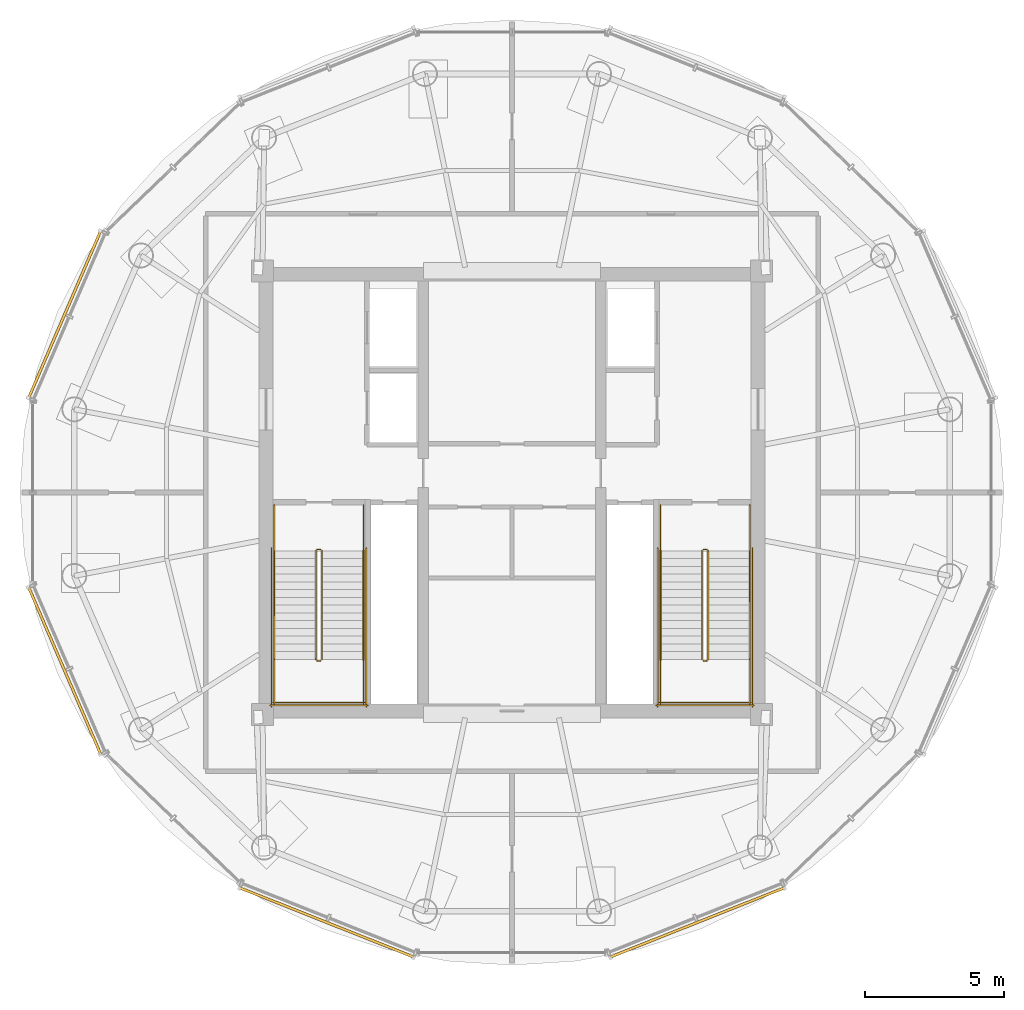
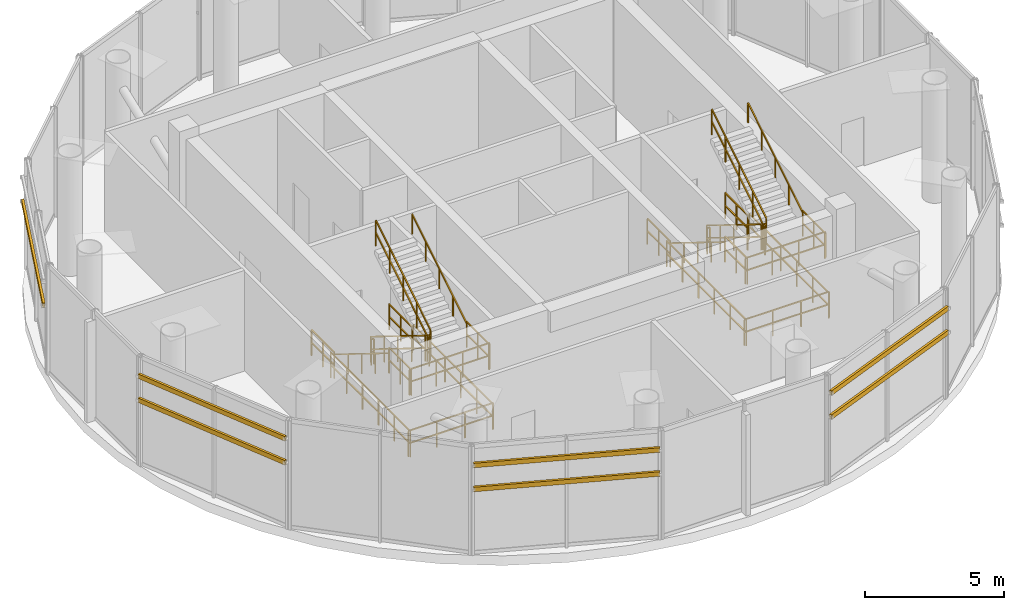
# One storey, part 14 of 15: 28 railings, 7 shading devices.
"""IFC4 building model written with IfcOpenShell, lengths in metres."""

from ifc_helpers import new_model, si_unit, direction, frame, origin, origin_2d, place, context, subcontext, project, spatial, rectangle, hollow_rectangle, extrude, source, transform, mapped, material, material_profile, profile_set, type_object, element, save


model = new_model("IFC4")

# Units and contexts
model_context = context("Model", 3, precision=1e-05, world=origin(), true_north=direction((-0.2419218956, 0.970295726276)))
body_context = subcontext(model_context, "Body", "Model", "MODEL_VIEW")
ifc_project = project(units=[si_unit("LENGTHUNIT", "METRE"), si_unit("AREAUNIT", "SQUARE_METRE"), si_unit("VOLUMEUNIT", "CUBIC_METRE"), si_unit("PLANEANGLEUNIT", "RADIAN"), si_unit("MASSUNIT", "GRAM", prefix="KILO")], contexts=[model_context])

# Site, building, storey
site_placement = place(None, origin())
site = spatial("IfcSite", under=ifc_project, at=site_placement, CompositionType="ELEMENT")
building_placement = place(site_placement, origin())
building = spatial("IfcBuilding", under=site, at=building_placement, Name="Cobrevalo Terracotta Tower", CompositionType="ELEMENT")
storey_placement = place(building_placement, frame((0.0, 0.0, 316.5)))
storey = spatial("IfcBuildingStorey", under=building, at=storey_placement, Name="L82", CompositionType="ELEMENT", Elevation=316.5)

# Railings
ifc_material_1 = material(Name="Brushed stainless steel", Category="steel")
railing_type_1 = type_object("IfcRailingType", Name="Stainless Steel Stair Handrail 900", PredefinedType="HANDRAIL", material=ifc_material_1)
railing_1_placement = place(storey_placement, frame((29.425048828125, 24.699951171875, 0.17333984375)))
element("IfcRailing", 1, at=railing_1_placement, inside=storey, type_object=railing_type_1, Name="L82 ST-1 stair handrail 1", PredefinedType="HANDRAIL", context=body_context, shape_type="SweptSolid", body=[
    extrude(rectangle(XDim=0.048095703125, YDim=0.048095703125, at=origin_2d()), frame((0.0, 0.0, 0.8759765625), z_axis=(0.0, -0.850251603719, 0.526376491091), x_axis=(1.0, 0.0, 0.0)), (0.0, 0.0, 1.0), 4.6103515625),
    extrude(rectangle(XDim=0.0419921875, YDim=0.0419921875, at=origin_2d()), origin(), (0.0, 0.0, 1.0), 0.851806640625),
    extrude(rectangle(XDim=0.0419921875, YDim=0.0419921875, at=origin_2d()), frame((0.0, -0.97998046875, 0.606689453125)), (0.0, 0.0, 1.0), 0.851806640625),
    extrude(rectangle(XDim=0.0419921875, YDim=0.0419921875, at=origin_2d()), frame((0.0, -1.9599609375, 1.21337890625)), (0.0, 0.0, 1.0), 0.851806640625),
    extrude(rectangle(XDim=0.0419921875, YDim=0.0419921875, at=origin_2d()), frame((0.0, -2.93994140625, 1.820068359375)), (0.0, 0.0, 1.0), 0.851806640625),
    extrude(rectangle(XDim=0.0419921875, YDim=0.0419921875, at=origin_2d()), frame((0.0, -3.919921875, 2.4267578125)), (0.0, 0.0, 1.0), 0.851806640625),
])
railing_2_placement = place(storey_placement, frame((32.64501953125, 20.780029296875, 2.7734375)))
element("IfcRailing", 2, at=railing_2_placement, inside=storey, type_object=railing_type_1, Name="L82 ST-1 stair handrail 2", PredefinedType="HANDRAIL", context=body_context, shape_type="SweptSolid", body=[
    extrude(rectangle(XDim=0.048095703125, YDim=0.048095703125, at=origin_2d()), frame((0.0, 0.0, 0.8759765625), z_axis=(0.0, 0.850275303828, 0.526338206574), x_axis=(-1.0, 0.0, 0.0)), (0.0, 0.0, 1.0), 4.610107421875),
    extrude(rectangle(XDim=0.0419921875, YDim=0.0419921875, at=origin_2d()), origin(), (0.0, 0.0, 1.0), 0.851806640625),
    extrude(rectangle(XDim=0.0419921875, YDim=0.0419921875, at=origin_2d()), frame((0.0, 0.97998046875, 0.606689453125)), (0.0, 0.0, 1.0), 0.851806640625),
    extrude(rectangle(XDim=0.0419921875, YDim=0.0419921875, at=origin_2d()), frame((0.0, 1.9599609375, 1.21337890625)), (0.0, 0.0, 1.0), 0.851806640625),
    extrude(rectangle(XDim=0.0419921875, YDim=0.0419921875, at=origin_2d()), frame((0.0, 2.93994140625, 1.81982421875)), (0.0, 0.0, 1.0), 0.851806640625),
    extrude(rectangle(XDim=0.0419921875, YDim=0.0419921875, at=origin_2d()), frame((0.0, 3.919921875, 2.426513671875)), (0.0, 0.0, 1.0), 0.851806640625),
])
railing_3_placement = place(storey_placement, frame((43.35498046875, 24.699951171875, 0.17333984375)))
element("IfcRailing", 3, at=railing_3_placement, inside=storey, type_object=railing_type_1, Name="L82 ST-2 stair handrail 1", PredefinedType="HANDRAIL", context=body_context, shape_type="SweptSolid", body=[
    extrude(rectangle(XDim=0.048095703125, YDim=0.048095703125, at=origin_2d()), frame((0.0, 0.0, 0.8759765625), z_axis=(0.0, -0.850251603719, 0.526376491091), x_axis=(1.0, 0.0, 0.0)), (0.0, 0.0, 1.0), 4.6103515625),
    extrude(rectangle(XDim=0.0419921875, YDim=0.0419921875, at=origin_2d()), origin(), (0.0, 0.0, 1.0), 0.851806640625),
    extrude(rectangle(XDim=0.0419921875, YDim=0.0419921875, at=origin_2d()), frame((0.0, -0.97998046875, 0.606689453125)), (0.0, 0.0, 1.0), 0.851806640625),
    extrude(rectangle(XDim=0.0419921875, YDim=0.0419921875, at=origin_2d()), frame((0.0, -1.9599609375, 1.21337890625)), (0.0, 0.0, 1.0), 0.851806640625),
    extrude(rectangle(XDim=0.0419921875, YDim=0.0419921875, at=origin_2d()), frame((0.0, -2.93994140625, 1.820068359375)), (0.0, 0.0, 1.0), 0.851806640625),
    extrude(rectangle(XDim=0.0419921875, YDim=0.0419921875, at=origin_2d()), frame((0.0, -3.919921875, 2.4267578125)), (0.0, 0.0, 1.0), 0.851806640625),
])
railing_4_placement = place(storey_placement, frame((46.574951171875, 20.780029296875, 2.7734375)))
element("IfcRailing", 4, at=railing_4_placement, inside=storey, type_object=railing_type_1, Name="L82 ST-2 stair handrail 2", PredefinedType="HANDRAIL", context=body_context, shape_type="SweptSolid", body=[
    extrude(rectangle(XDim=0.048095703125, YDim=0.048095703125, at=origin_2d()), frame((0.0, 0.0, 0.8759765625), z_axis=(0.0, 0.850275303828, 0.526338206574), x_axis=(-1.0, 0.0, 0.0)), (0.0, 0.0, 1.0), 4.610107421875),
    extrude(rectangle(XDim=0.0419921875, YDim=0.0419921875, at=origin_2d()), origin(), (0.0, 0.0, 1.0), 0.851806640625),
    extrude(rectangle(XDim=0.0419921875, YDim=0.0419921875, at=origin_2d()), frame((0.0, 0.97998046875, 0.606689453125)), (0.0, 0.0, 1.0), 0.851806640625),
    extrude(rectangle(XDim=0.0419921875, YDim=0.0419921875, at=origin_2d()), frame((0.0, 1.9599609375, 1.21337890625)), (0.0, 0.0, 1.0), 0.851806640625),
    extrude(rectangle(XDim=0.0419921875, YDim=0.0419921875, at=origin_2d()), frame((0.0, 2.93994140625, 1.81982421875)), (0.0, 0.0, 1.0), 0.851806640625),
    extrude(rectangle(XDim=0.0419921875, YDim=0.0419921875, at=origin_2d()), frame((0.0, 3.919921875, 2.426513671875)), (0.0, 0.0, 1.0), 0.851806640625),
])
ifc_material_2 = material(Name="Painted galvanized steel", Category="steel")
railing_type_2 = type_object("IfcRailingType", Name="Stair Well Guard Balustrade 1150", PredefinedType="GUARDRAIL", material=ifc_material_2)
railing_5_placement = place(storey_placement, frame((30.925048828125, 24.699951171875, 0.17333984375)))
element("IfcRailing", 5, at=railing_5_placement, inside=storey, type_object=railing_type_2, Name="L82 ST-1 stair guard 1", PredefinedType="GUARDRAIL", context=body_context, shape_type="SweptSolid", body=[
    extrude(rectangle(XDim=0.048095703125, YDim=0.048095703125, at=origin_2d()), frame((0.0, 0.0, 1.1259765625), z_axis=(0.0, -0.850251603719, 0.526376491091), x_axis=(1.0, 0.0, 0.0)), (0.0, 0.0, 1.0), 4.6103515625),
    extrude(rectangle(XDim=0.048095703125, YDim=0.048095703125, at=origin_2d()), frame((0.0, 0.0, 0.574951171875), z_axis=(0.0, -0.850251603719, 0.526376491091), x_axis=(1.0, 0.0, 0.0)), (0.0, 0.0, 1.0), 4.6103515625),
    extrude(rectangle(XDim=0.0419921875, YDim=0.0419921875, at=origin_2d()), origin(), (0.0, 0.0, 1.0), 1.101806640625),
    extrude(rectangle(XDim=0.0419921875, YDim=0.0419921875, at=origin_2d()), frame((0.0, -0.97998046875, 0.606689453125)), (0.0, 0.0, 1.0), 1.101806640625),
    extrude(rectangle(XDim=0.0419921875, YDim=0.0419921875, at=origin_2d()), frame((0.0, -1.9599609375, 1.21337890625)), (0.0, 0.0, 1.0), 1.101806640625),
    extrude(rectangle(XDim=0.0419921875, YDim=0.0419921875, at=origin_2d()), frame((0.0, -2.93994140625, 1.820068359375)), (0.0, 0.0, 1.0), 1.101806640625),
    extrude(rectangle(XDim=0.0419921875, YDim=0.0419921875, at=origin_2d()), frame((0.0, -3.919921875, 2.4267578125)), (0.0, 0.0, 1.0), 1.101806640625),
])
railing_6_placement = place(storey_placement, frame((30.97509765625, 20.72998046875, 2.60009765625)))
element("IfcRailing", 6, at=railing_6_placement, inside=storey, type_object=railing_type_2, Name="L82 ST-1 stair guard 2", PredefinedType="GUARDRAIL", context=body_context, shape_type="SweptSolid", body=[
    extrude(rectangle(XDim=0.048095703125, YDim=0.048095703125, at=origin_2d()), frame((0.0, 0.0, 1.1259765625), z_axis=(1.0, 0.0, 0.0), x_axis=(0.0, 1.0, 0.0)), (0.0, 0.0, 1.0), 0.119873046875),
    extrude(rectangle(XDim=0.048095703125, YDim=0.048095703125, at=origin_2d()), frame((0.0, 0.0, 0.574951171875), z_axis=(1.0, 0.0, 0.0), x_axis=(0.0, 1.0, 0.0)), (0.0, 0.0, 1.0), 0.119873046875),
    extrude(rectangle(XDim=0.0419921875, YDim=0.0419921875, at=origin_2d()), origin(), (0.0, 0.0, 1.0), 1.101806640625),
    extrude(rectangle(XDim=0.0419921875, YDim=0.0419921875, at=origin_2d()), frame((0.119873046875, 0.0, 0.0)), (0.0, 0.0, 1.0), 1.101806640625),
])
for number, where, name in (
    (7, (29.425048828125, 20.780029296875, 2.60009765625), "L82 ST-1 stair guard 3"),
    (8, (32.64501953125, 20.780029296875, 2.60009765625), "L82 ST-1 stair guard 4"),
):
    element("IfcRailing", number, at=place(storey_placement, frame(where)), inside=storey, type_object=railing_type_2, Name=name, PredefinedType="GUARDRAIL", context=body_context, shape_type="SweptSolid", body=[
        extrude(rectangle(XDim=0.048095703125, YDim=0.048095703125, at=origin_2d()), frame((0.0, 0.0, 1.1259765625), z_axis=(0.0, -1.0, 0.0), x_axis=(1.0, 0.0, 0.0)), (0.0, 0.0, 1.0), 1.60498046875),
        extrude(rectangle(XDim=0.048095703125, YDim=0.048095703125, at=origin_2d()), frame((0.0, 0.0, 0.574951171875), z_axis=(0.0, -1.0, 0.0), x_axis=(1.0, 0.0, 0.0)), (0.0, 0.0, 1.0), 1.60498046875),
        extrude(rectangle(XDim=0.0419921875, YDim=0.0419921875, at=origin_2d()), origin(), (0.0, 0.0, 1.0), 1.101806640625),
        extrude(rectangle(XDim=0.0419921875, YDim=0.0419921875, at=origin_2d()), frame((0.0, -0.802490234375, 0.0)), (0.0, 0.0, 1.0), 1.101806640625),
        extrude(rectangle(XDim=0.0419921875, YDim=0.0419921875, at=origin_2d()), frame((0.0, -1.60498046875, 0.0)), (0.0, 0.0, 1.0), 1.101806640625),
    ])
railing_7_placement = place(storey_placement, frame((29.375, 19.22509765625, 2.60009765625)))
element("IfcRailing", 9, at=railing_7_placement, inside=storey, type_object=railing_type_2, Name="L82 ST-1 stair guard 5", PredefinedType="GUARDRAIL", context=body_context, shape_type="SweptSolid", body=[
    extrude(rectangle(XDim=0.048095703125, YDim=0.048095703125, at=origin_2d()), frame((0.0, 0.0, 1.1259765625), z_axis=(1.0, 0.0, 0.0), x_axis=(0.0, 1.0, 0.0)), (0.0, 0.0, 1.0), 3.320068359375),
    extrude(rectangle(XDim=0.048095703125, YDim=0.048095703125, at=origin_2d()), frame((0.0, 0.0, 0.574951171875), z_axis=(1.0, 0.0, 0.0), x_axis=(0.0, 1.0, 0.0)), (0.0, 0.0, 1.0), 3.320068359375),
    extrude(rectangle(XDim=0.0419921875, YDim=0.0419921875, at=origin_2d()), origin(), (0.0, 0.0, 1.0), 1.101806640625),
    extrude(rectangle(XDim=0.0419921875, YDim=0.0419921875, at=origin_2d()), frame((1.106689453125, 0.0, 0.0)), (0.0, 0.0, 1.0), 1.101806640625),
    extrude(rectangle(XDim=0.0419921875, YDim=0.0419921875, at=origin_2d()), frame((2.21337890625, 0.0, 0.0)), (0.0, 0.0, 1.0), 1.101806640625),
    extrude(rectangle(XDim=0.0419921875, YDim=0.0419921875, at=origin_2d()), frame((3.320068359375, 0.0, 0.0)), (0.0, 0.0, 1.0), 1.101806640625),
])
railing_8_placement = place(storey_placement, frame((31.14501953125, 20.780029296875, 2.7734375)))
element("IfcRailing", 10, at=railing_8_placement, inside=storey, type_object=railing_type_2, Name="L82 ST-1 stair guard 6", PredefinedType="GUARDRAIL", context=body_context, shape_type="SweptSolid", body=[
    extrude(rectangle(XDim=0.048095703125, YDim=0.048095703125, at=origin_2d()), frame((0.0, 0.0, 1.1259765625), z_axis=(0.0, 0.850275303828, 0.526338206574), x_axis=(-1.0, 0.0, 0.0)), (0.0, 0.0, 1.0), 4.610107421875),
    extrude(rectangle(XDim=0.048095703125, YDim=0.048095703125, at=origin_2d()), frame((0.0, 0.0, 0.574951171875), z_axis=(0.0, 0.850275303828, 0.526338206574), x_axis=(-1.0, 0.0, 0.0)), (0.0, 0.0, 1.0), 4.610107421875),
    extrude(rectangle(XDim=0.0419921875, YDim=0.0419921875, at=origin_2d()), origin(), (0.0, 0.0, 1.0), 1.101806640625),
    extrude(rectangle(XDim=0.0419921875, YDim=0.0419921875, at=origin_2d()), frame((0.0, 0.97998046875, 0.606689453125)), (0.0, 0.0, 1.0), 1.101806640625),
    extrude(rectangle(XDim=0.0419921875, YDim=0.0419921875, at=origin_2d()), frame((0.0, 1.9599609375, 1.21337890625)), (0.0, 0.0, 1.0), 1.101806640625),
    extrude(rectangle(XDim=0.0419921875, YDim=0.0419921875, at=origin_2d()), frame((0.0, 2.93994140625, 1.81982421875)), (0.0, 0.0, 1.0), 1.101806640625),
    extrude(rectangle(XDim=0.0419921875, YDim=0.0419921875, at=origin_2d()), frame((0.0, 3.919921875, 2.426513671875)), (0.0, 0.0, 1.0), 1.101806640625),
])
railing_9_placement = place(storey_placement, frame((30.97509765625, 24.75, 0.0)))
element("IfcRailing", 11, at=railing_9_placement, inside=storey, type_object=railing_type_2, Name="L82 ST-1 stair guard 7", PredefinedType="GUARDRAIL", context=body_context, shape_type="SweptSolid", body=[
    extrude(rectangle(XDim=0.048095703125, YDim=0.048095703125, at=origin_2d()), frame((0.0, 0.0, 1.1259765625), z_axis=(1.0, 0.0, 0.0), x_axis=(0.0, 1.0, 0.0)), (0.0, 0.0, 1.0), 0.119873046875),
    extrude(rectangle(XDim=0.048095703125, YDim=0.048095703125, at=origin_2d()), frame((0.0, 0.0, 0.574951171875), z_axis=(1.0, 0.0, 0.0), x_axis=(0.0, 1.0, 0.0)), (0.0, 0.0, 1.0), 0.119873046875),
    extrude(rectangle(XDim=0.0419921875, YDim=0.0419921875, at=origin_2d()), origin(), (0.0, 0.0, 1.0), 1.101806640625),
    extrude(rectangle(XDim=0.0419921875, YDim=0.0419921875, at=origin_2d()), frame((0.119873046875, 0.0, 0.0)), (0.0, 0.0, 1.0), 1.101806640625),
])
for number, where, name in (
    (12, (29.425048828125, 26.35009765625, 0.0), "L82 ST-1 stair guard 8"),
    (13, (32.64501953125, 26.35009765625, 0.0), "L82 ST-1 stair guard 9"),
):
    element("IfcRailing", number, at=place(storey_placement, frame(where)), inside=storey, type_object=railing_type_2, Name=name, PredefinedType="GUARDRAIL", context=body_context, shape_type="SweptSolid", body=[
        extrude(rectangle(XDim=0.048095703125, YDim=0.048095703125, at=origin_2d()), frame((0.0, 0.0, 1.1259765625), z_axis=(0.0, -1.0, 0.0), x_axis=(1.0, 0.0, 0.0)), (0.0, 0.0, 1.0), 1.650146484375),
        extrude(rectangle(XDim=0.048095703125, YDim=0.048095703125, at=origin_2d()), frame((0.0, 0.0, 0.574951171875), z_axis=(0.0, -1.0, 0.0), x_axis=(1.0, 0.0, 0.0)), (0.0, 0.0, 1.0), 1.650146484375),
        extrude(rectangle(XDim=0.0419921875, YDim=0.0419921875, at=origin_2d()), origin(), (0.0, 0.0, 1.0), 1.101806640625),
        extrude(rectangle(XDim=0.0419921875, YDim=0.0419921875, at=origin_2d()), frame((0.0, -0.8251953125, 0.0)), (0.0, 0.0, 1.0), 1.101806640625),
        extrude(rectangle(XDim=0.0419921875, YDim=0.0419921875, at=origin_2d()), frame((0.0, -1.650146484375, 0.0)), (0.0, 0.0, 1.0), 1.101806640625),
    ])
for number, where, name in (
    (14, (29.324951171875, 24.800048828125, 0.0), "L82 ST-1 stair guard 10"),
    (15, (32.7451171875, 24.800048828125, 0.0), "L82 ST-1 stair guard 11"),
):
    element("IfcRailing", number, at=place(storey_placement, frame(where)), inside=storey, type_object=railing_type_2, Name=name, PredefinedType="GUARDRAIL", context=body_context, shape_type="SweptSolid", body=[
        extrude(rectangle(XDim=0.048095703125, YDim=0.048095703125, at=origin_2d()), frame((0.0, 0.0, 1.1259765625), z_axis=(0.0, -1.0, 0.0), x_axis=(1.0, 0.0, 0.0)), (0.0, 0.0, 1.0), 5.72509765625),
        extrude(rectangle(XDim=0.048095703125, YDim=0.048095703125, at=origin_2d()), frame((0.0, 0.0, 0.574951171875), z_axis=(0.0, -1.0, 0.0), x_axis=(1.0, 0.0, 0.0)), (0.0, 0.0, 1.0), 5.72509765625),
        extrude(rectangle(XDim=0.0419921875, YDim=0.0419921875, at=origin_2d()), origin(), (0.0, 0.0, 1.0), 1.101806640625),
        extrude(rectangle(XDim=0.0419921875, YDim=0.0419921875, at=origin_2d()), frame((0.0, -1.14501953125, 0.0)), (0.0, 0.0, 1.0), 1.101806640625),
        extrude(rectangle(XDim=0.0419921875, YDim=0.0419921875, at=origin_2d()), frame((0.0, -2.2900390625, 0.0)), (0.0, 0.0, 1.0), 1.101806640625),
        extrude(rectangle(XDim=0.0419921875, YDim=0.0419921875, at=origin_2d()), frame((0.0, -3.43505859375, 0.0)), (0.0, 0.0, 1.0), 1.101806640625),
        extrude(rectangle(XDim=0.0419921875, YDim=0.0419921875, at=origin_2d()), frame((0.0, -4.580078125, 0.0)), (0.0, 0.0, 1.0), 1.101806640625),
        extrude(rectangle(XDim=0.0419921875, YDim=0.0419921875, at=origin_2d()), frame((0.0, -5.72509765625, 0.0)), (0.0, 0.0, 1.0), 1.101806640625),
    ])
railing_10_placement = place(storey_placement, frame((29.27490234375, 19.125, 0.0)))
element("IfcRailing", 16, at=railing_10_placement, inside=storey, type_object=railing_type_2, Name="L82 ST-1 stair guard 12", PredefinedType="GUARDRAIL", context=body_context, shape_type="SweptSolid", body=[
    extrude(rectangle(XDim=0.048095703125, YDim=0.048095703125, at=origin_2d()), frame((0.0, 0.0, 1.1259765625), z_axis=(1.0, 0.0, 0.0), x_axis=(0.0, 1.0, 0.0)), (0.0, 0.0, 1.0), 3.52001953125),
    extrude(rectangle(XDim=0.048095703125, YDim=0.048095703125, at=origin_2d()), frame((0.0, 0.0, 0.574951171875), z_axis=(1.0, 0.0, 0.0), x_axis=(0.0, 1.0, 0.0)), (0.0, 0.0, 1.0), 3.52001953125),
    extrude(rectangle(XDim=0.0419921875, YDim=0.0419921875, at=origin_2d()), origin(), (0.0, 0.0, 1.0), 1.101806640625),
    extrude(rectangle(XDim=0.0419921875, YDim=0.0419921875, at=origin_2d()), frame((1.17333984375, 0.0, 0.0)), (0.0, 0.0, 1.0), 1.101806640625),
    extrude(rectangle(XDim=0.0419921875, YDim=0.0419921875, at=origin_2d()), frame((2.3466796875, 0.0, 0.0)), (0.0, 0.0, 1.0), 1.101806640625),
    extrude(rectangle(XDim=0.0419921875, YDim=0.0419921875, at=origin_2d()), frame((3.52001953125, 0.0, 0.0)), (0.0, 0.0, 1.0), 1.101806640625),
])
railing_11_placement = place(storey_placement, frame((44.85498046875, 24.699951171875, 0.17333984375)))
element("IfcRailing", 17, at=railing_11_placement, inside=storey, type_object=railing_type_2, Name="L82 ST-2 stair guard 1", PredefinedType="GUARDRAIL", context=body_context, shape_type="SweptSolid", body=[
    extrude(rectangle(XDim=0.048095703125, YDim=0.048095703125, at=origin_2d()), frame((0.0, 0.0, 1.1259765625), z_axis=(0.0, -0.850251603719, 0.526376491091), x_axis=(1.0, 0.0, 0.0)), (0.0, 0.0, 1.0), 4.6103515625),
    extrude(rectangle(XDim=0.048095703125, YDim=0.048095703125, at=origin_2d()), frame((0.0, 0.0, 0.574951171875), z_axis=(0.0, -0.850251603719, 0.526376491091), x_axis=(1.0, 0.0, 0.0)), (0.0, 0.0, 1.0), 4.6103515625),
    extrude(rectangle(XDim=0.0419921875, YDim=0.0419921875, at=origin_2d()), origin(), (0.0, 0.0, 1.0), 1.101806640625),
    extrude(rectangle(XDim=0.0419921875, YDim=0.0419921875, at=origin_2d()), frame((0.0, -0.97998046875, 0.606689453125)), (0.0, 0.0, 1.0), 1.101806640625),
    extrude(rectangle(XDim=0.0419921875, YDim=0.0419921875, at=origin_2d()), frame((0.0, -1.9599609375, 1.21337890625)), (0.0, 0.0, 1.0), 1.101806640625),
    extrude(rectangle(XDim=0.0419921875, YDim=0.0419921875, at=origin_2d()), frame((0.0, -2.93994140625, 1.820068359375)), (0.0, 0.0, 1.0), 1.101806640625),
    extrude(rectangle(XDim=0.0419921875, YDim=0.0419921875, at=origin_2d()), frame((0.0, -3.919921875, 2.4267578125)), (0.0, 0.0, 1.0), 1.101806640625),
])
railing_12_placement = place(storey_placement, frame((44.905029296875, 20.72998046875, 2.60009765625)))
element("IfcRailing", 18, at=railing_12_placement, inside=storey, type_object=railing_type_2, Name="L82 ST-2 stair guard 2", PredefinedType="GUARDRAIL", context=body_context, shape_type="SweptSolid", body=[
    extrude(rectangle(XDim=0.048095703125, YDim=0.048095703125, at=origin_2d()), frame((0.0, 0.0, 1.1259765625), z_axis=(1.0, 0.0, 0.0), x_axis=(0.0, 1.0, 0.0)), (0.0, 0.0, 1.0), 0.119873046875),
    extrude(rectangle(XDim=0.048095703125, YDim=0.048095703125, at=origin_2d()), frame((0.0, 0.0, 0.574951171875), z_axis=(1.0, 0.0, 0.0), x_axis=(0.0, 1.0, 0.0)), (0.0, 0.0, 1.0), 0.119873046875),
    extrude(rectangle(XDim=0.0419921875, YDim=0.0419921875, at=origin_2d()), origin(), (0.0, 0.0, 1.0), 1.101806640625),
    extrude(rectangle(XDim=0.0419921875, YDim=0.0419921875, at=origin_2d()), frame((0.119873046875, 0.0, 0.0)), (0.0, 0.0, 1.0), 1.101806640625),
])
for number, where, name in (
    (19, (43.35498046875, 20.780029296875, 2.60009765625), "L82 ST-2 stair guard 3"),
    (20, (46.574951171875, 20.780029296875, 2.60009765625), "L82 ST-2 stair guard 4"),
):
    element("IfcRailing", number, at=place(storey_placement, frame(where)), inside=storey, type_object=railing_type_2, Name=name, PredefinedType="GUARDRAIL", context=body_context, shape_type="SweptSolid", body=[
        extrude(rectangle(XDim=0.048095703125, YDim=0.048095703125, at=origin_2d()), frame((0.0, 0.0, 1.1259765625), z_axis=(0.0, -1.0, 0.0), x_axis=(1.0, 0.0, 0.0)), (0.0, 0.0, 1.0), 1.60498046875),
        extrude(rectangle(XDim=0.048095703125, YDim=0.048095703125, at=origin_2d()), frame((0.0, 0.0, 0.574951171875), z_axis=(0.0, -1.0, 0.0), x_axis=(1.0, 0.0, 0.0)), (0.0, 0.0, 1.0), 1.60498046875),
        extrude(rectangle(XDim=0.0419921875, YDim=0.0419921875, at=origin_2d()), origin(), (0.0, 0.0, 1.0), 1.101806640625),
        extrude(rectangle(XDim=0.0419921875, YDim=0.0419921875, at=origin_2d()), frame((0.0, -0.802490234375, 0.0)), (0.0, 0.0, 1.0), 1.101806640625),
        extrude(rectangle(XDim=0.0419921875, YDim=0.0419921875, at=origin_2d()), frame((0.0, -1.60498046875, 0.0)), (0.0, 0.0, 1.0), 1.101806640625),
    ])
railing_13_placement = place(storey_placement, frame((43.304931640625, 19.22509765625, 2.60009765625)))
element("IfcRailing", 21, at=railing_13_placement, inside=storey, type_object=railing_type_2, Name="L82 ST-2 stair guard 5", PredefinedType="GUARDRAIL", context=body_context, shape_type="SweptSolid", body=[
    extrude(rectangle(XDim=0.048095703125, YDim=0.048095703125, at=origin_2d()), frame((0.0, 0.0, 1.1259765625), z_axis=(1.0, 0.0, 0.0), x_axis=(0.0, 1.0, 0.0)), (0.0, 0.0, 1.0), 3.320068359375),
    extrude(rectangle(XDim=0.048095703125, YDim=0.048095703125, at=origin_2d()), frame((0.0, 0.0, 0.574951171875), z_axis=(1.0, 0.0, 0.0), x_axis=(0.0, 1.0, 0.0)), (0.0, 0.0, 1.0), 3.320068359375),
    extrude(rectangle(XDim=0.0419921875, YDim=0.0419921875, at=origin_2d()), origin(), (0.0, 0.0, 1.0), 1.101806640625),
    extrude(rectangle(XDim=0.0419921875, YDim=0.0419921875, at=origin_2d()), frame((1.106689453125, 0.0, 0.0)), (0.0, 0.0, 1.0), 1.101806640625),
    extrude(rectangle(XDim=0.0419921875, YDim=0.0419921875, at=origin_2d()), frame((2.21337890625, 0.0, 0.0)), (0.0, 0.0, 1.0), 1.101806640625),
    extrude(rectangle(XDim=0.0419921875, YDim=0.0419921875, at=origin_2d()), frame((3.320068359375, 0.0, 0.0)), (0.0, 0.0, 1.0), 1.101806640625),
])
railing_14_placement = place(storey_placement, frame((45.074951171875, 20.780029296875, 2.7734375)))
element("IfcRailing", 22, at=railing_14_placement, inside=storey, type_object=railing_type_2, Name="L82 ST-2 stair guard 6", PredefinedType="GUARDRAIL", context=body_context, shape_type="SweptSolid", body=[
    extrude(rectangle(XDim=0.048095703125, YDim=0.048095703125, at=origin_2d()), frame((0.0, 0.0, 1.1259765625), z_axis=(0.0, 0.850275303828, 0.526338206574), x_axis=(-1.0, 0.0, 0.0)), (0.0, 0.0, 1.0), 4.610107421875),
    extrude(rectangle(XDim=0.048095703125, YDim=0.048095703125, at=origin_2d()), frame((0.0, 0.0, 0.574951171875), z_axis=(0.0, 0.850275303828, 0.526338206574), x_axis=(-1.0, 0.0, 0.0)), (0.0, 0.0, 1.0), 4.610107421875),
    extrude(rectangle(XDim=0.0419921875, YDim=0.0419921875, at=origin_2d()), origin(), (0.0, 0.0, 1.0), 1.101806640625),
    extrude(rectangle(XDim=0.0419921875, YDim=0.0419921875, at=origin_2d()), frame((0.0, 0.97998046875, 0.606689453125)), (0.0, 0.0, 1.0), 1.101806640625),
    extrude(rectangle(XDim=0.0419921875, YDim=0.0419921875, at=origin_2d()), frame((0.0, 1.9599609375, 1.21337890625)), (0.0, 0.0, 1.0), 1.101806640625),
    extrude(rectangle(XDim=0.0419921875, YDim=0.0419921875, at=origin_2d()), frame((0.0, 2.93994140625, 1.81982421875)), (0.0, 0.0, 1.0), 1.101806640625),
    extrude(rectangle(XDim=0.0419921875, YDim=0.0419921875, at=origin_2d()), frame((0.0, 3.919921875, 2.426513671875)), (0.0, 0.0, 1.0), 1.101806640625),
])
railing_15_placement = place(storey_placement, frame((44.905029296875, 24.75, 0.0)))
element("IfcRailing", 23, at=railing_15_placement, inside=storey, type_object=railing_type_2, Name="L82 ST-2 stair guard 7", PredefinedType="GUARDRAIL", context=body_context, shape_type="SweptSolid", body=[
    extrude(rectangle(XDim=0.048095703125, YDim=0.048095703125, at=origin_2d()), frame((0.0, 0.0, 1.1259765625), z_axis=(1.0, 0.0, 0.0), x_axis=(0.0, 1.0, 0.0)), (0.0, 0.0, 1.0), 0.119873046875),
    extrude(rectangle(XDim=0.048095703125, YDim=0.048095703125, at=origin_2d()), frame((0.0, 0.0, 0.574951171875), z_axis=(1.0, 0.0, 0.0), x_axis=(0.0, 1.0, 0.0)), (0.0, 0.0, 1.0), 0.119873046875),
    extrude(rectangle(XDim=0.0419921875, YDim=0.0419921875, at=origin_2d()), origin(), (0.0, 0.0, 1.0), 1.101806640625),
    extrude(rectangle(XDim=0.0419921875, YDim=0.0419921875, at=origin_2d()), frame((0.119873046875, 0.0, 0.0)), (0.0, 0.0, 1.0), 1.101806640625),
])
for number, where, name in (
    (24, (43.35498046875, 26.35009765625, 0.0), "L82 ST-2 stair guard 8"),
    (25, (46.574951171875, 26.35009765625, 0.0), "L82 ST-2 stair guard 9"),
):
    element("IfcRailing", number, at=place(storey_placement, frame(where)), inside=storey, type_object=railing_type_2, Name=name, PredefinedType="GUARDRAIL", context=body_context, shape_type="SweptSolid", body=[
        extrude(rectangle(XDim=0.048095703125, YDim=0.048095703125, at=origin_2d()), frame((0.0, 0.0, 1.1259765625), z_axis=(0.0, -1.0, 0.0), x_axis=(1.0, 0.0, 0.0)), (0.0, 0.0, 1.0), 1.650146484375),
        extrude(rectangle(XDim=0.048095703125, YDim=0.048095703125, at=origin_2d()), frame((0.0, 0.0, 0.574951171875), z_axis=(0.0, -1.0, 0.0), x_axis=(1.0, 0.0, 0.0)), (0.0, 0.0, 1.0), 1.650146484375),
        extrude(rectangle(XDim=0.0419921875, YDim=0.0419921875, at=origin_2d()), origin(), (0.0, 0.0, 1.0), 1.101806640625),
        extrude(rectangle(XDim=0.0419921875, YDim=0.0419921875, at=origin_2d()), frame((0.0, -0.8251953125, 0.0)), (0.0, 0.0, 1.0), 1.101806640625),
        extrude(rectangle(XDim=0.0419921875, YDim=0.0419921875, at=origin_2d()), frame((0.0, -1.650146484375, 0.0)), (0.0, 0.0, 1.0), 1.101806640625),
    ])
for number, where, name in (
    (26, (43.2548828125, 24.800048828125, 0.0), "L82 ST-2 stair guard 10"),
    (27, (46.675048828125, 24.800048828125, 0.0), "L82 ST-2 stair guard 11"),
):
    element("IfcRailing", number, at=place(storey_placement, frame(where)), inside=storey, type_object=railing_type_2, Name=name, PredefinedType="GUARDRAIL", context=body_context, shape_type="SweptSolid", body=[
        extrude(rectangle(XDim=0.048095703125, YDim=0.048095703125, at=origin_2d()), frame((0.0, 0.0, 1.1259765625), z_axis=(0.0, -1.0, 0.0), x_axis=(1.0, 0.0, 0.0)), (0.0, 0.0, 1.0), 5.72509765625),
        extrude(rectangle(XDim=0.048095703125, YDim=0.048095703125, at=origin_2d()), frame((0.0, 0.0, 0.574951171875), z_axis=(0.0, -1.0, 0.0), x_axis=(1.0, 0.0, 0.0)), (0.0, 0.0, 1.0), 5.72509765625),
        extrude(rectangle(XDim=0.0419921875, YDim=0.0419921875, at=origin_2d()), origin(), (0.0, 0.0, 1.0), 1.101806640625),
        extrude(rectangle(XDim=0.0419921875, YDim=0.0419921875, at=origin_2d()), frame((0.0, -1.14501953125, 0.0)), (0.0, 0.0, 1.0), 1.101806640625),
        extrude(rectangle(XDim=0.0419921875, YDim=0.0419921875, at=origin_2d()), frame((0.0, -2.2900390625, 0.0)), (0.0, 0.0, 1.0), 1.101806640625),
        extrude(rectangle(XDim=0.0419921875, YDim=0.0419921875, at=origin_2d()), frame((0.0, -3.43505859375, 0.0)), (0.0, 0.0, 1.0), 1.101806640625),
        extrude(rectangle(XDim=0.0419921875, YDim=0.0419921875, at=origin_2d()), frame((0.0, -4.580078125, 0.0)), (0.0, 0.0, 1.0), 1.101806640625),
        extrude(rectangle(XDim=0.0419921875, YDim=0.0419921875, at=origin_2d()), frame((0.0, -5.72509765625, 0.0)), (0.0, 0.0, 1.0), 1.101806640625),
    ])
railing_16_placement = place(storey_placement, frame((43.205078125, 19.125, 0.0)))
element("IfcRailing", 28, at=railing_16_placement, inside=storey, type_object=railing_type_2, Name="L82 ST-2 stair guard 12", PredefinedType="GUARDRAIL", context=body_context, shape_type="SweptSolid", body=[
    extrude(rectangle(XDim=0.048095703125, YDim=0.048095703125, at=origin_2d()), frame((0.0, 0.0, 1.1259765625), z_axis=(1.0, 0.0, 0.0), x_axis=(0.0, 1.0, 0.0)), (0.0, 0.0, 1.0), 3.52001953125),
    extrude(rectangle(XDim=0.048095703125, YDim=0.048095703125, at=origin_2d()), frame((0.0, 0.0, 0.574951171875), z_axis=(1.0, 0.0, 0.0), x_axis=(0.0, 1.0, 0.0)), (0.0, 0.0, 1.0), 3.52001953125),
    extrude(rectangle(XDim=0.0419921875, YDim=0.0419921875, at=origin_2d()), origin(), (0.0, 0.0, 1.0), 1.101806640625),
    extrude(rectangle(XDim=0.0419921875, YDim=0.0419921875, at=origin_2d()), frame((1.17333984375, 0.0, 0.0)), (0.0, 0.0, 1.0), 1.101806640625),
    extrude(rectangle(XDim=0.0419921875, YDim=0.0419921875, at=origin_2d()), frame((2.3466796875, 0.0, 0.0)), (0.0, 0.0, 1.0), 1.101806640625),
    extrude(rectangle(XDim=0.0419921875, YDim=0.0419921875, at=origin_2d()), frame((3.52001953125, 0.0, 0.0)), (0.0, 0.0, 1.0), 1.101806640625),
])

# Shading devices
ifc_material_3 = material(Name="Extruded fired architectural terracotta", Category="masonry")
ifc_material_profile = material_profile(ifc_material_3, hollow_rectangle(XDim=0.094970703125, YDim=0.199951171875, WallThickness=0.01611328125, at=origin_2d()), Name="BAGUETTE 95x200")
ifc_profile_set = profile_set([ifc_material_profile], Name="Extruded fired architectural terracotta")
shading_device_type = type_object("IfcShadingDeviceType", Name="Upper-Zone Terracotta Baguette Screen 95x200", PredefinedType="USERDEFINED", material=ifc_profile_set)
shared_shape_1 = source(origin(), body_context, "Body", "SweptSolid", [
    extrude(hollow_rectangle(XDim=0.094970703125, YDim=0.199951171875, WallThickness=0.01611328125, at=origin_2d()), origin(), (0.0, 0.0, 1.0), 6.566650390625),
])
for number, where, z_axis, x_axis, name in (
    (29, (23.16015625, 36.240478515625, 2.963623046875), (-0.396072057664, -0.91821943191, 0.0), (0.91821943191, -0.396072057664, 0.0), "CW-CRN-L82-S07 horizontal terracotta baguette 1"),
    (30, (20.559326171875, 23.38916015625, 2.963623046875), (0.396072057664, -0.91821943191, 0.0), (0.91821943191, 0.396072057664, 0.0), "CW-CRN-L82-S09 horizontal terracotta baguette 1"),
    (31, (20.559326171875, 23.38916015625, 4.01513671875), (0.396072057664, -0.91821943191, 0.0), (0.91821943191, 0.396072057664, 0.0), "CW-CRN-L82-S09 horizontal terracotta baguette 2"),
):
    element("IfcShadingDevice", number, at=place(storey_placement, frame(where, z_axis=z_axis, x_axis=x_axis)), inside=storey, type_object=shading_device_type, Name=name, ObjectType="BAGUETTE", PredefinedType="USERDEFINED", context=body_context, shape_type="MappedRepresentation", body=[
        mapped(shared_shape_1, transform((0.0, 0.0, 0.0), scale=1.0)),
    ])
shared_shape_2 = source(origin(), body_context, "Body", "SweptSolid", [
    extrude(hollow_rectangle(XDim=0.094970703125, YDim=0.199951171875, WallThickness=0.01611328125, at=origin_2d()), origin(), (0.0, 0.0, 1.0), 6.759521484375),
])
for number, where, z_axis, x_axis, name in (
    (32, (28.176025390625, 12.541259765625, 2.963623046875), (0.929177467385, -0.36963391904, 0.0), (0.36963391904, 0.929177467385, 0.0), "CW-CRN-L82-S11 horizontal terracotta baguette 1"),
    (33, (28.176025390625, 12.541259765625, 4.01513671875), (0.929177467385, -0.36963391904, 0.0), (0.36963391904, 0.929177467385, 0.0), "CW-CRN-L82-S11 horizontal terracotta baguette 2"),
    (34, (41.543212890625, 10.042724609375, 2.963623046875), (0.929177467385, 0.36963391904, 0.0), (-0.36963391904, 0.929177467385, 0.0), "CW-CRN-L82-S13 horizontal terracotta baguette 1"),
    (35, (41.543212890625, 10.042724609375, 4.01513671875), (0.929177467385, 0.36963391904, 0.0), (-0.36963391904, 0.929177467385, 0.0), "CW-CRN-L82-S13 horizontal terracotta baguette 2"),
):
    element("IfcShadingDevice", number, at=place(storey_placement, frame(where, z_axis=z_axis, x_axis=x_axis)), inside=storey, type_object=shading_device_type, Name=name, ObjectType="BAGUETTE", PredefinedType="USERDEFINED", context=body_context, shape_type="MappedRepresentation", body=[
        mapped(shared_shape_2, transform((0.0, 0.0, 0.0), scale=1.0)),
    ])

save(model, "model.ifc")
